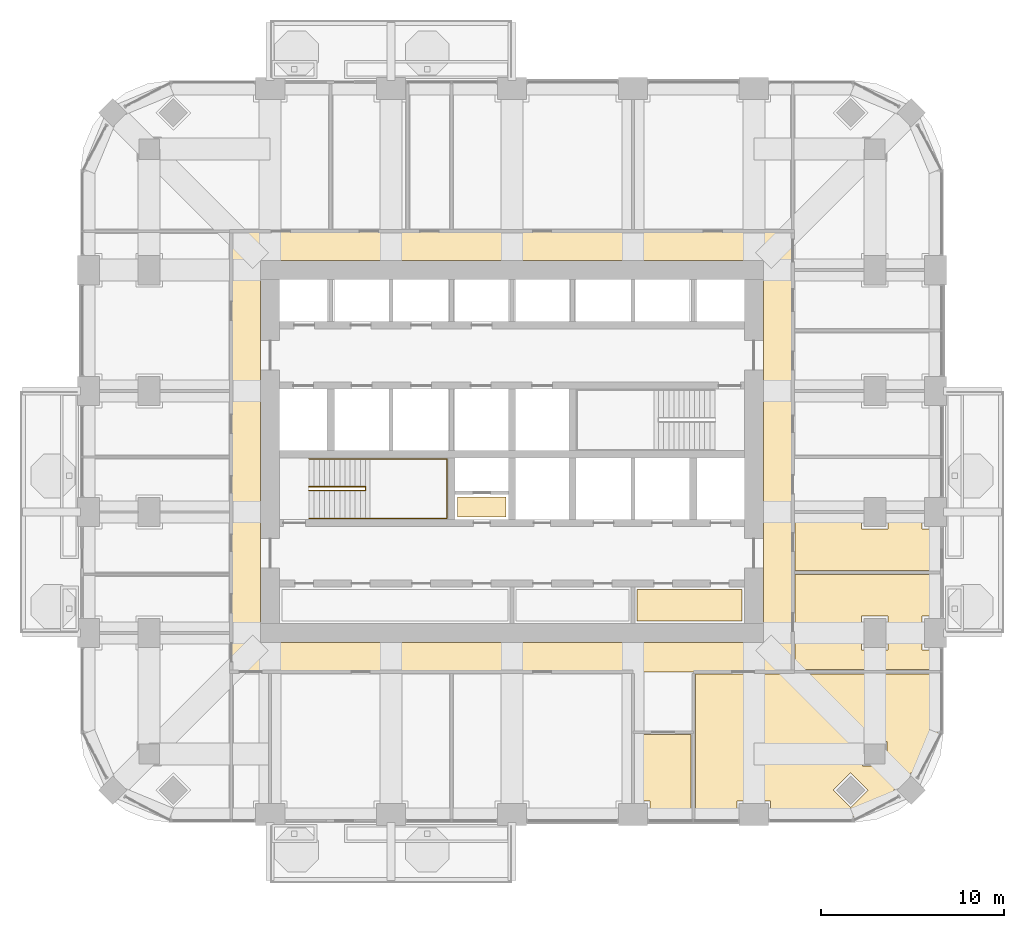
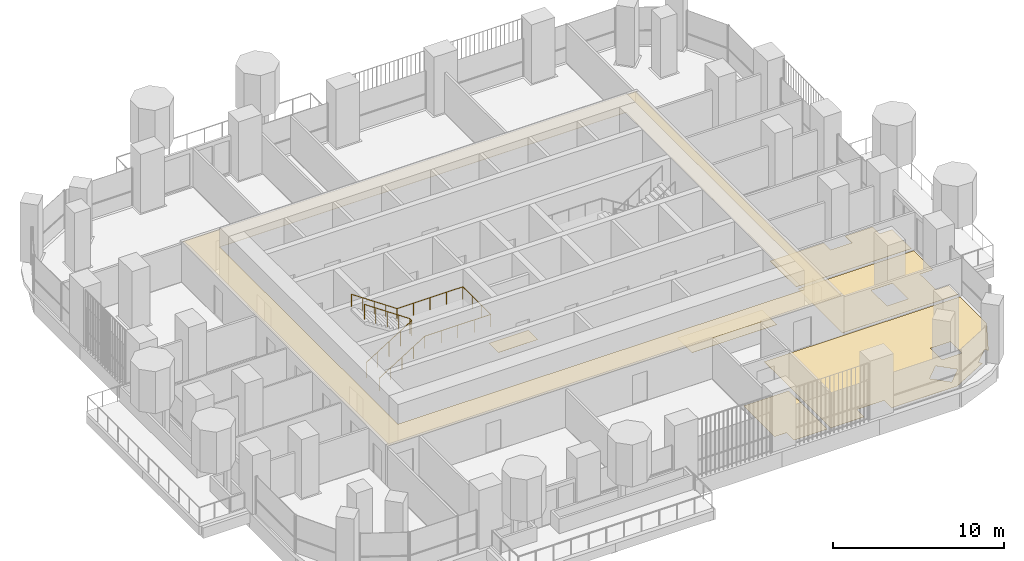
# One storey, part 17 of 20: 7 coverings, 2 railings.
"""IFC4 building model written with IfcOpenShell, lengths in metres."""

from ifc_helpers import new_model, si_unit, direction, frame, origin, place, context, subcontext, project, spatial, polyline, outline, extrude, material, layer, layer_set, type_object, element, save


model = new_model("IFC4")

# Units and contexts
model_context = context("Model", 3, precision=1e-05, world=origin(), true_north=direction((0.0, 1.0)))
body_context = subcontext(model_context, "Body", "Model", "MODEL_VIEW")
ifc_project = project(units=[si_unit("LENGTHUNIT", "METRE"), si_unit("AREAUNIT", "SQUARE_METRE"), si_unit("VOLUMEUNIT", "CUBIC_METRE"), si_unit("PLANEANGLEUNIT", "RADIAN"), si_unit("MASSUNIT", "GRAM", prefix="KILO")], contexts=[model_context])

# Site, building, storey
site_placement = place(None, origin())
site = spatial("IfcSite", under=ifc_project, at=site_placement, CompositionType="ELEMENT")
building_placement = place(site_placement, origin())
building = spatial("IfcBuilding", under=site, at=building_placement, Name="Cobogo Forest Laboratory Tower", CompositionType="ELEMENT")
storey_placement = place(building_placement, frame((0.0, 0.0, 176.699951171875)))
storey = spatial("IfcBuildingStorey", under=building, at=storey_placement, Name="L40", CompositionType="ELEMENT", Elevation=176.699951171875)

# Coverings
ifc_material_1 = material(Name="Mineral fibre ceiling tile", Category="ceiling")
ifc_layer_1 = layer(ifc_material_1, 0.02001953125)
ifc_layer_set_1 = layer_set([ifc_layer_1], Name="CL1 suspended ceiling")
covering_type_1 = type_object("IfcCoveringType", Name="CL1 suspended ceiling", PredefinedType="CEILING", material=ifc_layer_set_1)
covering_1_placement = place(storey_placement, frame((0.0, 0.0, 2.800048828125)))
element("IfcCovering", 1, at=covering_1_placement, inside=storey, type_object=covering_type_1, Name="Corridor ceiling L40", PredefinedType="CEILING", context=body_context, shape_type="SweptSolid", body=[
    extrude(outline(polyline([(11.074951171875, 11.074951171875), (11.074951171875, 35.125), (41.72509765625, 35.125), (41.72509765625, 11.074951171875), (11.074951171875, 11.074951171875)]), holes=[polyline([(40.125, 33.52490234375), (12.675048828125, 33.52490234375), (12.675048828125, 12.675048828125), (40.125, 12.675048828125), (40.125, 33.52490234375)])]), origin(), (0.0, 0.0, 1.0), 0.02001953125),
])
ifc_material_2 = material(Name="Carpet tile on raised access floor", Category="flooring")
ifc_layer_2 = layer(ifc_material_2, 0.008056640625)
ifc_layer_set_2 = layer_set([ifc_layer_2], Name="CT1 carpet tile floor 8")
covering_type_2 = type_object("IfcCoveringType", Name="CT1 carpet tile floor 8", PredefinedType="FLOORING", material=ifc_layer_set_2)
covering_2_placement = place(storey_placement, origin())
element("IfcCovering", 2, at=covering_2_placement, inside=storey, type_object=covering_type_2, Name="Carpet floor L40-06", PredefinedType="FLOORING", context=body_context, shape_type="SweptSolid", body=[
    extrude(outline(polyline([(41.844970703125, 16.3798828125), (49.64990234375, 16.3798828125), (49.64990234375, 14.1201171875), (48.780029296875, 14.1201171875), (48.780029296875, 12.280029296875), (49.64990234375, 12.280029296875), (49.64990234375, 11.195068359375), (41.844970703125, 11.195068359375), (41.844970703125, 16.3798828125)]), holes=[polyline([(46.919921875, 12.280029296875), (46.919921875, 14.1201171875), (45.47998046875, 14.1201171875), (45.47998046875, 12.280029296875), (46.919921875, 12.280029296875)])]), origin(), (0.0, 0.0, 1.0), 0.008056640625),
])
covering_3_placement = place(storey_placement, origin())
element("IfcCovering", 3, at=covering_3_placement, inside=storey, type_object=covering_type_2, Name="Carpet floor L40-07", PredefinedType="FLOORING", context=body_context, shape_type="SweptSolid", body=[
    extrude(outline(polyline([(41.844970703125, 19.679931640625), (45.47998046875, 19.679931640625), (45.47998046875, 18.8798828125), (46.919921875, 18.8798828125), (46.919921875, 19.679931640625), (48.780029296875, 19.679931640625), (48.780029296875, 18.8798828125), (49.64990234375, 18.8798828125), (49.64990234375, 16.6201171875), (41.844970703125, 16.6201171875), (41.844970703125, 19.679931640625)])), origin(), (0.0, 0.0, 1.0), 0.008056640625),
])
covering_4_placement = place(storey_placement, origin())
element("IfcCovering", 4, at=covering_4_placement, inside=storey, type_object=covering_type_2, Name="Carpet floor L40-29", PredefinedType="FLOORING", context=body_context, shape_type="SweptSolid", body=[
    extrude(outline(polyline([(26.080078125, 19.52001953125), (23.419921875, 19.52001953125), (23.419921875, 20.6298828125), (26.080078125, 20.6298828125), (26.080078125, 19.52001953125)])), origin(), (0.0, 0.0, 1.0), 0.008056640625),
])
covering_5_placement = place(storey_placement, origin())
element("IfcCovering", 5, at=covering_5_placement, inside=storey, type_object=covering_type_2, Name="Carpet floor L40-34", PredefinedType="FLOORING", context=body_context, shape_type="SweptSolid", body=[
    extrude(outline(polyline([(38.955078125, 13.844970703125), (33.219970703125, 13.844970703125), (33.219970703125, 15.580078125), (38.955078125, 15.580078125), (38.955078125, 13.844970703125)])), origin(), (0.0, 0.0, 1.0), 0.008056640625),
])

# Railings
ifc_material_3 = material(Name="Steel balustrade", Category="steel")
railing_type_1 = type_object("IfcRailingType", Name="GR stair guard 1100", PredefinedType="GUARDRAIL", material=ifc_material_3)
railing_1_placement = place(storey_placement, frame((15.324951171875, 20.969970703125, 0.175048828125)))
element("IfcRailing", 6, at=railing_1_placement, inside=storey, type_object=railing_type_1, Name="Stair guard ST1 L40", PredefinedType="GUARDRAIL", context=body_context, shape_type="SweptSolid", body=[
    extrude(outline(polyline([(0.022216796875, 0.00927734375), (0.00927734375, 0.022216796875), (-0.00927734375, 0.022216796875), (-0.022216796875, 0.00927734375), (-0.022216796875, -0.00927734375), (-0.00927734375, -0.022216796875), (0.00927734375, -0.022216796875), (0.022216796875, -0.00927734375), (0.022216796875, 0.00927734375)])), frame((0.0, 0.0, 1.077880859375), z_axis=(0.847998304005, 0.0, 0.529998940003), x_axis=(0.0, 1.0, 0.0)), (0.0, 0.0, 1.0), 3.632080078125),
    extrude(outline(polyline([(0.022216796875, 0.00927734375), (0.00927734375, 0.022216796875), (-0.00927734375, 0.022216796875), (-0.022216796875, 0.00927734375), (-0.022216796875, -0.00927734375), (-0.00927734375, -0.022216796875), (0.00927734375, -0.022216796875), (0.022216796875, -0.00927734375), (0.022216796875, 0.00927734375)])), frame((3.080078125, 0.0, 3.0029296875), z_axis=(0.0, 1.0, 0.0), x_axis=(-1.0, 0.0, 0.0)), (0.0, 0.0, 1.0), 0.2099609375),
    extrude(outline(polyline([(0.022216796875, 0.00927734375), (0.00927734375, 0.022216796875), (-0.00927734375, 0.022216796875), (-0.022216796875, 0.00927734375), (-0.022216796875, -0.00927734375), (-0.00927734375, -0.022216796875), (0.00927734375, -0.022216796875), (0.022216796875, -0.00927734375), (0.022216796875, 0.00927734375)])), frame((3.080078125, 0.2099609375, 3.0029296875), z_axis=(-0.826252282691, 0.0, 0.563300244406), x_axis=(0.0, -1.0, 0.0)), (0.0, 0.0, 1.0), 3.727783203125),
    extrude(outline(polyline([(0.019287109375, 0.008056640625), (0.008056640625, 0.019287109375), (-0.008056640625, 0.019287109375), (-0.019287109375, 0.008056640625), (-0.019287109375, -0.008056640625), (-0.008056640625, -0.019287109375), (0.008056640625, -0.019287109375), (0.019287109375, -0.008056640625), (0.019287109375, 0.008056640625)])), origin(), (0.0, 0.0, 1.0), 1.077880859375),
    extrude(outline(polyline([(0.019287109375, 0.008056640625), (0.008056640625, 0.019287109375), (-0.008056640625, 0.019287109375), (-0.019287109375, 0.008056640625), (-0.019287109375, -0.008056640625), (-0.008056640625, -0.019287109375), (0.008056640625, -0.019287109375), (0.019287109375, -0.008056640625), (0.019287109375, 0.008056640625)])), frame((0.77001953125, 0.0, 0.481201171875)), (0.0, 0.0, 1.0), 1.077880859375),
    extrude(outline(polyline([(0.019287109375, 0.008056640625), (0.008056640625, 0.019287109375), (-0.008056640625, 0.019287109375), (-0.019287109375, 0.008056640625), (-0.019287109375, -0.008056640625), (-0.008056640625, -0.019287109375), (0.008056640625, -0.019287109375), (0.019287109375, -0.008056640625), (0.019287109375, 0.008056640625)])), frame((1.5400390625, 0.0, 0.96240234375)), (0.0, 0.0, 1.0), 1.077880859375),
    extrude(outline(polyline([(0.019287109375, 0.008056640625), (0.008056640625, 0.019287109375), (-0.008056640625, 0.019287109375), (-0.019287109375, 0.008056640625), (-0.019287109375, -0.008056640625), (-0.008056640625, -0.019287109375), (0.008056640625, -0.019287109375), (0.019287109375, -0.008056640625), (0.019287109375, 0.008056640625)])), frame((2.31005859375, 0.0, 1.44384765625)), (0.0, 0.0, 1.0), 1.077880859375),
    extrude(outline(polyline([(0.019287109375, 0.008056640625), (0.008056640625, 0.019287109375), (-0.008056640625, 0.019287109375), (-0.019287109375, 0.008056640625), (-0.019287109375, -0.008056640625), (-0.008056640625, -0.019287109375), (0.008056640625, -0.019287109375), (0.019287109375, -0.008056640625), (0.019287109375, 0.008056640625)])), frame((3.080078125, 0.0, 1.925048828125)), (0.0, 0.0, 1.0), 1.077880859375),
    extrude(outline(polyline([(0.019287109375, 0.008056640625), (0.008056640625, 0.019287109375), (-0.008056640625, 0.019287109375), (-0.019287109375, 0.008056640625), (-0.019287109375, -0.008056640625), (-0.008056640625, -0.019287109375), (0.008056640625, -0.019287109375), (0.019287109375, -0.008056640625), (0.019287109375, 0.008056640625)])), frame((3.080078125, 0.2099609375, 1.925048828125)), (0.0, 0.0, 1.0), 1.077880859375),
    extrude(outline(polyline([(0.019287109375, 0.008056640625), (0.008056640625, 0.019287109375), (-0.008056640625, 0.019287109375), (-0.019287109375, 0.008056640625), (-0.019287109375, -0.008056640625), (-0.008056640625, -0.019287109375), (0.008056640625, -0.019287109375), (0.019287109375, -0.008056640625), (0.019287109375, 0.008056640625)])), frame((2.31005859375, 0.2099609375, 2.449951171875)), (0.0, 0.0, 1.0), 1.077880859375),
    extrude(outline(polyline([(0.019287109375, 0.008056640625), (0.008056640625, 0.019287109375), (-0.008056640625, 0.019287109375), (-0.019287109375, 0.008056640625), (-0.019287109375, -0.008056640625), (-0.008056640625, -0.019287109375), (0.008056640625, -0.019287109375), (0.019287109375, -0.008056640625), (0.019287109375, 0.008056640625)])), frame((1.5400390625, 0.2099609375, 2.97509765625)), (0.0, 0.0, 1.0), 1.077880859375),
    extrude(outline(polyline([(0.019287109375, 0.008056640625), (0.008056640625, 0.019287109375), (-0.008056640625, 0.019287109375), (-0.019287109375, 0.008056640625), (-0.019287109375, -0.008056640625), (-0.008056640625, -0.019287109375), (0.008056640625, -0.019287109375), (0.019287109375, -0.008056640625), (0.019287109375, 0.008056640625)])), frame((0.77001953125, 0.2099609375, 3.5)), (0.0, 0.0, 1.0), 1.077880859375),
    extrude(outline(polyline([(0.019287109375, 0.008056640625), (0.008056640625, 0.019287109375), (-0.008056640625, 0.019287109375), (-0.019287109375, 0.008056640625), (-0.019287109375, -0.008056640625), (-0.008056640625, -0.019287109375), (0.008056640625, -0.019287109375), (0.019287109375, -0.008056640625), (0.019287109375, 0.008056640625)])), frame((0.0, 0.2099609375, 4.02490234375)), (0.0, 0.0, 1.0), 1.077880859375),
])
ifc_material_4 = material(Name="Stainless steel handrail", Category="steel")
railing_type_2 = type_object("IfcRailingType", Name="HR handrail 900", PredefinedType="HANDRAIL", material=ifc_material_4)
railing_2_placement = place(storey_placement, frame((15.324951171875, 19.449951171875, 0.175048828125)))
element("IfcRailing", 7, at=railing_2_placement, inside=storey, type_object=railing_type_2, Name="Stair handrail ST1 L40", PredefinedType="HANDRAIL", context=body_context, shape_type="SweptSolid", body=[
    extrude(outline(polyline([(0.022216796875, 0.00927734375), (0.00927734375, 0.022216796875), (-0.00927734375, 0.022216796875), (-0.022216796875, 0.00927734375), (-0.022216796875, -0.00927734375), (-0.00927734375, -0.022216796875), (0.00927734375, -0.022216796875), (0.022216796875, -0.00927734375), (0.022216796875, 0.00927734375)])), frame((0.0, 0.0, 0.877685546875), z_axis=(0.847998304005, 0.0, 0.529998940003), x_axis=(0.0, 1.0, 0.0)), (0.0, 0.0, 1.0), 3.632080078125),
    extrude(outline(polyline([(0.022216796875, 0.00927734375), (0.00927734375, 0.022216796875), (-0.00927734375, 0.022216796875), (-0.022216796875, 0.00927734375), (-0.022216796875, -0.00927734375), (-0.00927734375, -0.022216796875), (0.00927734375, -0.022216796875), (0.022216796875, -0.00927734375), (0.022216796875, 0.00927734375)])), frame((3.080078125, 0.0, 2.802734375), z_axis=(1.0, 0.0, 0.0), x_axis=(0.0, 1.0, 0.0)), (0.0, 0.0, 1.0), 4.445068359375),
    extrude(outline(polyline([(0.022216796875, 0.00927734375), (0.00927734375, 0.022216796875), (-0.00927734375, 0.022216796875), (-0.022216796875, 0.00927734375), (-0.022216796875, -0.00927734375), (-0.00927734375, -0.022216796875), (0.00927734375, -0.022216796875), (0.022216796875, -0.00927734375), (0.022216796875, 0.00927734375)])), frame((7.525146484375, 0.0, 2.802734375), z_axis=(0.0, 1.0, 0.0), x_axis=(-1.0, 0.0, 0.0)), (0.0, 0.0, 1.0), 3.25),
    extrude(outline(polyline([(0.022216796875, 0.00927734375), (0.00927734375, 0.022216796875), (-0.00927734375, 0.022216796875), (-0.022216796875, 0.00927734375), (-0.022216796875, -0.00927734375), (-0.00927734375, -0.022216796875), (0.00927734375, -0.022216796875), (0.022216796875, -0.00927734375), (0.022216796875, 0.00927734375)])), frame((7.525146484375, 3.25, 2.802734375), z_axis=(-1.0, 0.0, 0.0), x_axis=(0.0, -1.0, 0.0)), (0.0, 0.0, 1.0), 4.445068359375),
    extrude(outline(polyline([(0.022216796875, 0.00927734375), (0.00927734375, 0.022216796875), (-0.00927734375, 0.022216796875), (-0.022216796875, 0.00927734375), (-0.022216796875, -0.00927734375), (-0.00927734375, -0.022216796875), (0.00927734375, -0.022216796875), (0.022216796875, -0.00927734375), (0.022216796875, 0.00927734375)])), frame((3.080078125, 3.25, 2.802734375), z_axis=(-0.826252282691, 0.0, 0.563300244406), x_axis=(0.0, -1.0, 0.0)), (0.0, 0.0, 1.0), 3.727783203125),
    extrude(outline(polyline([(0.019287109375, 0.008056640625), (0.008056640625, 0.019287109375), (-0.008056640625, 0.019287109375), (-0.019287109375, 0.008056640625), (-0.019287109375, -0.008056640625), (-0.008056640625, -0.019287109375), (0.008056640625, -0.019287109375), (0.019287109375, -0.008056640625), (0.019287109375, 0.008056640625)])), origin(), (0.0, 0.0, 1.0), 0.877685546875),
    extrude(outline(polyline([(0.019287109375, 0.008056640625), (0.008056640625, 0.019287109375), (-0.008056640625, 0.019287109375), (-0.019287109375, 0.008056640625), (-0.019287109375, -0.008056640625), (-0.008056640625, -0.019287109375), (0.008056640625, -0.019287109375), (0.019287109375, -0.008056640625), (0.019287109375, 0.008056640625)])), frame((0.77001953125, 0.0, 0.481201171875)), (0.0, 0.0, 1.0), 0.877685546875),
    extrude(outline(polyline([(0.019287109375, 0.008056640625), (0.008056640625, 0.019287109375), (-0.008056640625, 0.019287109375), (-0.019287109375, 0.008056640625), (-0.019287109375, -0.008056640625), (-0.008056640625, -0.019287109375), (0.008056640625, -0.019287109375), (0.019287109375, -0.008056640625), (0.019287109375, 0.008056640625)])), frame((1.5400390625, 0.0, 0.96240234375)), (0.0, 0.0, 1.0), 0.877685546875),
    extrude(outline(polyline([(0.019287109375, 0.008056640625), (0.008056640625, 0.019287109375), (-0.008056640625, 0.019287109375), (-0.019287109375, 0.008056640625), (-0.019287109375, -0.008056640625), (-0.008056640625, -0.019287109375), (0.008056640625, -0.019287109375), (0.019287109375, -0.008056640625), (0.019287109375, 0.008056640625)])), frame((2.31005859375, 0.0, 1.44384765625)), (0.0, 0.0, 1.0), 0.877685546875),
    extrude(outline(polyline([(0.019287109375, 0.008056640625), (0.008056640625, 0.019287109375), (-0.008056640625, 0.019287109375), (-0.019287109375, 0.008056640625), (-0.019287109375, -0.008056640625), (-0.008056640625, -0.019287109375), (0.008056640625, -0.019287109375), (0.019287109375, -0.008056640625), (0.019287109375, 0.008056640625)])), frame((3.080078125, 0.0, 1.925048828125)), (0.0, 0.0, 1.0), 0.877685546875),
    extrude(outline(polyline([(0.019287109375, 0.008056640625), (0.008056640625, 0.019287109375), (-0.008056640625, 0.019287109375), (-0.019287109375, 0.008056640625), (-0.019287109375, -0.008056640625), (-0.008056640625, -0.019287109375), (0.008056640625, -0.019287109375), (0.019287109375, -0.008056640625), (0.019287109375, 0.008056640625)])), frame((4.19140625, 0.0, 1.925048828125)), (0.0, 0.0, 1.0), 0.877685546875),
    extrude(outline(polyline([(0.019287109375, 0.008056640625), (0.008056640625, 0.019287109375), (-0.008056640625, 0.019287109375), (-0.019287109375, 0.008056640625), (-0.019287109375, -0.008056640625), (-0.008056640625, -0.019287109375), (0.008056640625, -0.019287109375), (0.019287109375, -0.008056640625), (0.019287109375, 0.008056640625)])), frame((5.302734375, 0.0, 1.925048828125)), (0.0, 0.0, 1.0), 0.877685546875),
    extrude(outline(polyline([(0.019287109375, 0.008056640625), (0.008056640625, 0.019287109375), (-0.008056640625, 0.019287109375), (-0.019287109375, 0.008056640625), (-0.019287109375, -0.008056640625), (-0.008056640625, -0.019287109375), (0.008056640625, -0.019287109375), (0.019287109375, -0.008056640625), (0.019287109375, 0.008056640625)])), frame((6.413818359375, 0.0, 1.925048828125)), (0.0, 0.0, 1.0), 0.877685546875),
    extrude(outline(polyline([(0.019287109375, 0.008056640625), (0.008056640625, 0.019287109375), (-0.008056640625, 0.019287109375), (-0.019287109375, 0.008056640625), (-0.019287109375, -0.008056640625), (-0.008056640625, -0.019287109375), (0.008056640625, -0.019287109375), (0.019287109375, -0.008056640625), (0.019287109375, 0.008056640625)])), frame((7.525146484375, 0.0, 1.925048828125)), (0.0, 0.0, 1.0), 0.877685546875),
    extrude(outline(polyline([(0.019287109375, 0.008056640625), (0.008056640625, 0.019287109375), (-0.008056640625, 0.019287109375), (-0.019287109375, 0.008056640625), (-0.019287109375, -0.008056640625), (-0.008056640625, -0.019287109375), (0.008056640625, -0.019287109375), (0.019287109375, -0.008056640625), (0.019287109375, 0.008056640625)])), frame((7.525146484375, 1.083251953125, 1.925048828125)), (0.0, 0.0, 1.0), 0.877685546875),
    extrude(outline(polyline([(0.019287109375, 0.008056640625), (0.008056640625, 0.019287109375), (-0.008056640625, 0.019287109375), (-0.019287109375, 0.008056640625), (-0.019287109375, -0.008056640625), (-0.008056640625, -0.019287109375), (0.008056640625, -0.019287109375), (0.019287109375, -0.008056640625), (0.019287109375, 0.008056640625)])), frame((7.525146484375, 2.166748046875, 1.925048828125)), (0.0, 0.0, 1.0), 0.877685546875),
    extrude(outline(polyline([(0.019287109375, 0.008056640625), (0.008056640625, 0.019287109375), (-0.008056640625, 0.019287109375), (-0.019287109375, 0.008056640625), (-0.019287109375, -0.008056640625), (-0.008056640625, -0.019287109375), (0.008056640625, -0.019287109375), (0.019287109375, -0.008056640625), (0.019287109375, 0.008056640625)])), frame((7.525146484375, 3.25, 1.925048828125)), (0.0, 0.0, 1.0), 0.877685546875),
    extrude(outline(polyline([(0.019287109375, 0.008056640625), (0.008056640625, 0.019287109375), (-0.008056640625, 0.019287109375), (-0.019287109375, 0.008056640625), (-0.019287109375, -0.008056640625), (-0.008056640625, -0.019287109375), (0.008056640625, -0.019287109375), (0.019287109375, -0.008056640625), (0.019287109375, 0.008056640625)])), frame((6.413818359375, 3.25, 1.925048828125)), (0.0, 0.0, 1.0), 0.877685546875),
    extrude(outline(polyline([(0.019287109375, 0.008056640625), (0.008056640625, 0.019287109375), (-0.008056640625, 0.019287109375), (-0.019287109375, 0.008056640625), (-0.019287109375, -0.008056640625), (-0.008056640625, -0.019287109375), (0.008056640625, -0.019287109375), (0.019287109375, -0.008056640625), (0.019287109375, 0.008056640625)])), frame((5.302734375, 3.25, 1.925048828125)), (0.0, 0.0, 1.0), 0.877685546875),
    extrude(outline(polyline([(0.019287109375, 0.008056640625), (0.008056640625, 0.019287109375), (-0.008056640625, 0.019287109375), (-0.019287109375, 0.008056640625), (-0.019287109375, -0.008056640625), (-0.008056640625, -0.019287109375), (0.008056640625, -0.019287109375), (0.019287109375, -0.008056640625), (0.019287109375, 0.008056640625)])), frame((4.19140625, 3.25, 1.925048828125)), (0.0, 0.0, 1.0), 0.877685546875),
    extrude(outline(polyline([(0.019287109375, 0.008056640625), (0.008056640625, 0.019287109375), (-0.008056640625, 0.019287109375), (-0.019287109375, 0.008056640625), (-0.019287109375, -0.008056640625), (-0.008056640625, -0.019287109375), (0.008056640625, -0.019287109375), (0.019287109375, -0.008056640625), (0.019287109375, 0.008056640625)])), frame((3.080078125, 3.25, 1.925048828125)), (0.0, 0.0, 1.0), 0.877685546875),
    extrude(outline(polyline([(0.019287109375, 0.008056640625), (0.008056640625, 0.019287109375), (-0.008056640625, 0.019287109375), (-0.019287109375, 0.008056640625), (-0.019287109375, -0.008056640625), (-0.008056640625, -0.019287109375), (0.008056640625, -0.019287109375), (0.019287109375, -0.008056640625), (0.019287109375, 0.008056640625)])), frame((2.31005859375, 3.25, 2.449951171875)), (0.0, 0.0, 1.0), 0.877685546875),
    extrude(outline(polyline([(0.019287109375, 0.008056640625), (0.008056640625, 0.019287109375), (-0.008056640625, 0.019287109375), (-0.019287109375, 0.008056640625), (-0.019287109375, -0.008056640625), (-0.008056640625, -0.019287109375), (0.008056640625, -0.019287109375), (0.019287109375, -0.008056640625), (0.019287109375, 0.008056640625)])), frame((1.5400390625, 3.25, 2.97509765625)), (0.0, 0.0, 1.0), 0.877685546875),
    extrude(outline(polyline([(0.019287109375, 0.008056640625), (0.008056640625, 0.019287109375), (-0.008056640625, 0.019287109375), (-0.019287109375, 0.008056640625), (-0.019287109375, -0.008056640625), (-0.008056640625, -0.019287109375), (0.008056640625, -0.019287109375), (0.019287109375, -0.008056640625), (0.019287109375, 0.008056640625)])), frame((0.77001953125, 3.25, 3.5)), (0.0, 0.0, 1.0), 0.877685546875),
    extrude(outline(polyline([(0.019287109375, 0.008056640625), (0.008056640625, 0.019287109375), (-0.008056640625, 0.019287109375), (-0.019287109375, 0.008056640625), (-0.019287109375, -0.008056640625), (-0.008056640625, -0.019287109375), (0.008056640625, -0.019287109375), (0.019287109375, -0.008056640625), (0.019287109375, 0.008056640625)])), frame((0.0, 3.25, 4.02490234375)), (0.0, 0.0, 1.0), 0.877685546875),
])

# Coverings
ifc_material_5 = material(Name="Static-dissipative vinyl flooring", Category="flooring")
ifc_layer_3 = layer(ifc_material_5, 0.0029296875)
ifc_layer_set_3 = layer_set([ifc_layer_3], Name="SD1 static-dissipative vinyl floor 3")
covering_type_3 = type_object("IfcCoveringType", Name="SD1 static-dissipative vinyl floor 3", PredefinedType="FLOORING", material=ifc_layer_set_3)
covering_6_placement = place(storey_placement, origin())
element("IfcCovering", 8, at=covering_6_placement, inside=storey, type_object=covering_type_3, Name="Static-dissipative floor L40-04", PredefinedType="FLOORING", context=body_context, shape_type="SweptSolid", body=[
    extrude(outline(polyline([(36.179931640625, 7.655029296875), (36.179931640625, 3.14990234375), (33.919921875, 3.14990234375), (33.919921875, 4.02001953125), (33.1201171875, 4.02001953125), (33.1201171875, 7.655029296875), (36.179931640625, 7.655029296875)])), origin(), (0.0, 0.0, 1.0), 0.0029296875),
])
covering_7_placement = place(storey_placement, origin())
element("IfcCovering", 9, at=covering_7_placement, inside=storey, type_object=covering_type_3, Name="Static-dissipative floor L40-05", PredefinedType="FLOORING", context=body_context, shape_type="SweptSolid", body=[
    extrude(outline(polyline([(49.64990234375, 10.955078125), (49.64990234375, 7.84912109375), (48.359619140625, 5.387939453125), (48.181884765625, 5.5654296875), (47.234375, 4.617919921875), (47.412109375, 4.440185546875), (44.95068359375, 3.14990234375), (40.52001953125, 3.14990234375), (40.52001953125, 4.02001953125), (38.679931640625, 4.02001953125), (38.679931640625, 3.14990234375), (36.419921875, 3.14990234375), (36.419921875, 10.955078125), (49.64990234375, 10.955078125)]), holes=[polyline([(45.530029296875, 5.929931640625), (46.8701171875, 5.929931640625), (46.8701171875, 7.27001953125), (45.530029296875, 7.27001953125), (45.530029296875, 5.929931640625)]), polyline([(44.882080078125, 3.67041015625), (45.82958984375, 4.617919921875), (44.882080078125, 5.5654296875), (43.9345703125, 4.617919921875), (44.882080078125, 3.67041015625)])]), origin(), (0.0, 0.0, 1.0), 0.0029296875),
])

save(model, "model.ifc")
